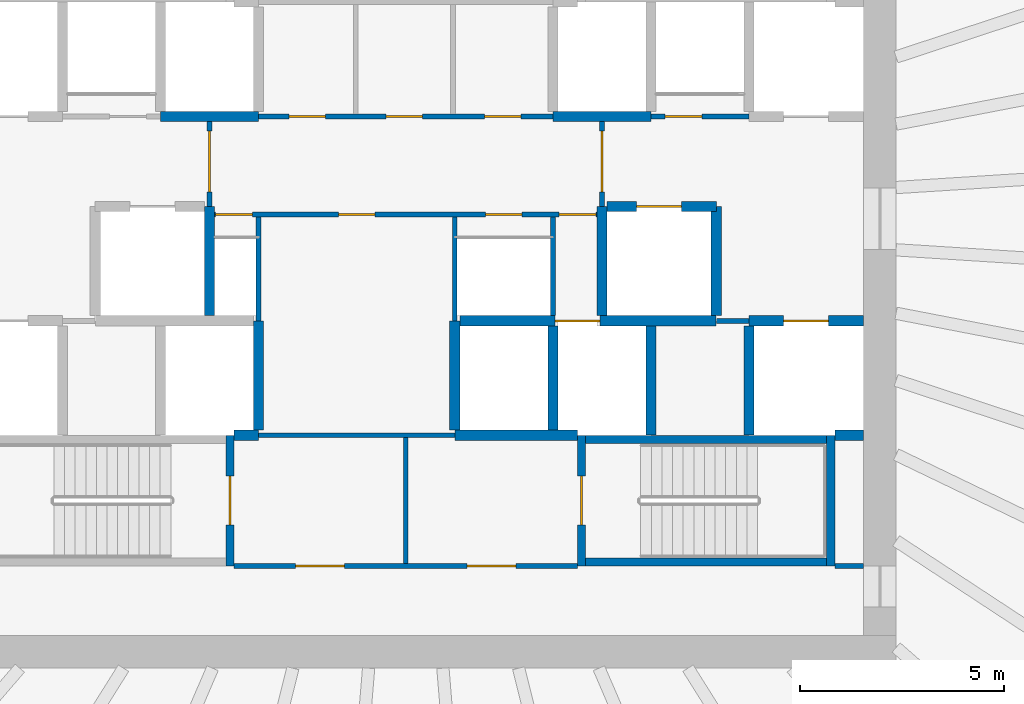
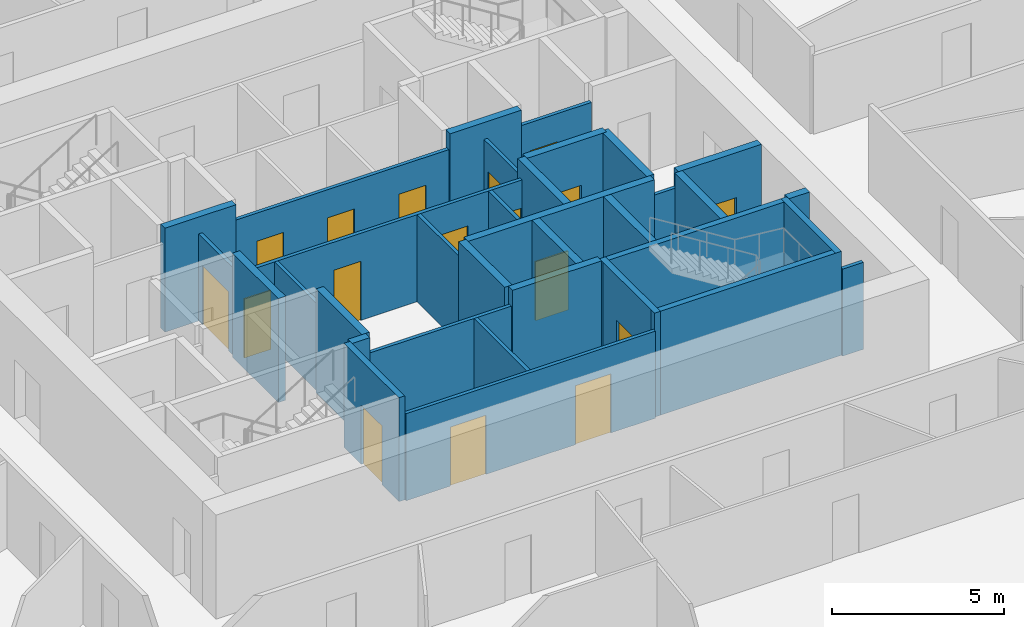
# One storey, part 7 of 10: 34 walls, 17 doors, 17 openings.
"""IFC4 building model written with IfcOpenShell, lengths in metres."""

from ifc_helpers import new_model, si_unit, direction, frame, frame_2d, origin, place, context, subcontext, project, spatial, rectangle, extrude, source, transform, mapped, material, layer, layer_set, type_object, element, fill, save


model = new_model("IFC4")

# Units and contexts
model_context = context("Model", 3, precision=1e-05, world=origin(), true_north=direction((0.0, 1.0)))
body_context = subcontext(model_context, "Body", "Model", "MODEL_VIEW")
ifc_project = project(units=[si_unit("LENGTHUNIT", "METRE"), si_unit("AREAUNIT", "SQUARE_METRE"), si_unit("VOLUMEUNIT", "CUBIC_METRE"), si_unit("PLANEANGLEUNIT", "RADIAN"), si_unit("MASSUNIT", "GRAM", prefix="KILO")], contexts=[model_context])

# Site, building, storey
site_placement = place(None, origin())
site = spatial("IfcSite", under=ifc_project, at=site_placement, CompositionType="ELEMENT")
building_placement = place(site_placement, origin())
building = spatial("IfcBuilding", under=site, at=building_placement, Name="Embergate Tower", CompositionType="ELEMENT")
storey_placement = place(building_placement, frame((0.0, 0.0, 183.300048828125)))
storey = spatial("IfcBuildingStorey", under=building, at=storey_placement, Name="L41", CompositionType="ELEMENT", Elevation=183.300048828125)

# Walls
ifc_material_1 = material(Name="Concrete C50", Category="concrete")
ifc_layer_1 = layer(ifc_material_1, 0.25)
ifc_layer_set_1 = layer_set([ifc_layer_1], Name="Concrete C50")
wall_type_1 = type_object("IfcWallType", Name="Hoistway wall reinforced concrete 250", PredefinedType="SHEAR", material=ifc_layer_set_1)
shared_shape_1 = source(origin(), body_context, "Body", "SweptSolid", [
    extrude(rectangle(XDim=2.675048828125, YDim=0.25, at=frame_2d((1.33740234375, 0.0))), origin(), (0.0, 0.0, 1.0), 3.699951171875),
])
for number, where, z_axis, x_axis, name in (
    (1, (-3.60009765625, -5.175048828125, 0.0), (0.0, 0.0, 1.0), (0.0, 1.0, 0.0), "HW-1 wall"),
    (2, (1.199951171875, -2.5, 0.0), (0.0, 0.0, 1.0), (0.0, -1.0, 0.0), "HW-1 wall"),
    (3, (-4.800048828125, 0.300048828125, 0.0), (0.0, 0.0, 1.0), (0.0, -1.0, 0.0), "HW-1 wall"),
    (4, (4.800048828125, -2.375, 0.0), (0.0, 0.0, 1.0), (0.0, 1.0, 0.0), "HW-1 wall"),
):
    element("IfcWall", number, at=place(storey_placement, frame(where, z_axis=z_axis, x_axis=x_axis)), inside=storey, type_object=wall_type_1, Name=name, PredefinedType="SHEAR", context=body_context, shape_type="MappedRepresentation", body=[
        mapped(shared_shape_1, transform((0.0, 0.0, 0.0))),
    ])

# Wall, opening, door
wall_1_placement = place(storey_placement, frame((7.60009765625, 0.300048828125, 0.0), z_axis=(0.0, 0.0, 1.0), x_axis=(-1.0, 0.0, 0.0)))
wall_1 = element("IfcWall", 5, at=wall_1_placement, inside=storey, type_object=wall_type_1, Name="HW-1 wall", PredefinedType="SHEAR", context=body_context, shape_type="MappedRepresentation", body=[
    mapped(shared_shape_1, transform((0.0, 0.0, 0.0))),
])
shared_shape_2 = source(origin(), body_context, "Body", "SweptSolid", [
    extrude(rectangle(XDim=1.10009765625, YDim=2.10009765625, at=frame_2d((0.550048828125, 1.050048828125))), frame((0.0, 0.135009765625, 0.0), z_axis=(0.0, -1.0, 0.0), x_axis=(1.0, 0.0, 0.0)), (0.0, 0.0, 1.0), 0.27001953125),
])
opening_1_placement = place(wall_1_placement, frame((0.85009765625, 0.0, 0.0)))
opening_1 = element("IfcOpeningElement", 6, at=opening_1_placement, cuts=wall_1, Name="Opening LD", PredefinedType="OPENING", context=body_context, shape_type="MappedRepresentation", body=[
    mapped(shared_shape_2, transform((0.0, 0.0, 0.0))),
])
ifc_material_2 = material(Name="Landing door sliding 1100")
door_type_1 = type_object("IfcDoorType", Name="Landing door sliding 1100", OperationType="SLIDING_TO_LEFT", PredefinedType="DOOR", material=ifc_material_2)
shared_shape_3 = source(origin(), body_context, "Body", "SweptSolid", [
    extrude(rectangle(XDim=1.10009765625, YDim=2.10009765625, at=frame_2d((0.550048828125, 1.050048828125))), frame((0.0, 0.02490234375, 0.0), z_axis=(0.0, -1.0, 0.0), x_axis=(1.0, 0.0, 0.0)), (0.0, 0.0, 1.0), 0.050048828125),
])
door_1_placement = place(opening_1_placement, origin())
door_1 = element("IfcDoor", 7, at=door_1_placement, inside=storey, type_object=door_type_1, Name="LD door", OperationType="SLIDING_TO_LEFT", OverallHeight=2.10009765625, OverallWidth=1.10009765625, PredefinedType="DOOR", context=body_context, shape_type="MappedRepresentation", body=[
    mapped(shared_shape_3, transform((0.0, 0.0, 0.0))),
])
fill(opening_1, door_1)

# Walls
wall_2_placement = place(storey_placement, frame((7.60009765625, -2.375, 0.0), z_axis=(0.0, 0.0, 1.0), x_axis=(0.0, 1.0, 0.0)))
element("IfcWall", 8, at=wall_2_placement, inside=storey, type_object=wall_type_1, Name="HW-1 wall", PredefinedType="SHEAR", context=body_context, shape_type="MappedRepresentation", body=[
    mapped(shared_shape_1, transform((0.0, 0.0, 0.0))),
])
ifc_layer_2 = layer(ifc_material_1, 0.199951171875)
ifc_layer_set_2 = layer_set([ifc_layer_2], Name="Concrete C50")
wall_type_2 = type_object("IfcWallType", Name="Stair enclosure wall reinforced concrete 250", PredefinedType="SHEAR", material=ifc_layer_set_2)
shared_shape_4 = source(origin(), body_context, "Body", "SweptSolid", [
    extrude(rectangle(XDim=6.300048828125, YDim=0.199951171875, at=frame_2d((3.14990234375, 0.0))), origin(), (0.0, 0.0, 1.0), 3.699951171875),
])
for number, where, z_axis, x_axis, name in (
    (9, (4.199951171875, -5.39990234375, 0.0), (0.0, 0.0, 1.0), (1.0, 0.0, 0.0), "SE-1 wall"),
    (10, (4.199951171875, -8.39990234375, 0.0), (0.0, 0.0, 1.0), (1.0, 0.0, 0.0), "SE-1 wall"),
):
    element("IfcWall", number, at=place(storey_placement, frame(where, z_axis=z_axis, x_axis=x_axis)), inside=storey, type_object=wall_type_2, Name=name, PredefinedType="SHEAR", context=body_context, shape_type="MappedRepresentation", body=[
        mapped(shared_shape_4, transform((0.0, 0.0, 0.0))),
    ])
shared_shape_5 = source(origin(), body_context, "Body", "SweptSolid", [
    extrude(rectangle(XDim=2.550048828125, YDim=0.25, at=frame_2d((1.27490234375, 0.0))), origin(), (0.0, 0.0, 1.0), 3.699951171875),
])
wall_3_placement = place(storey_placement, frame((3.60009765625, -5.175048828125, 0.0), z_axis=(0.0, 0.0, 1.0), x_axis=(0.0, 1.0, 0.0)))
element("IfcWall", 11, at=wall_3_placement, inside=storey, type_object=wall_type_1, Name="HW-1 wall", PredefinedType="SHEAR", context=body_context, shape_type="MappedRepresentation", body=[
    mapped(shared_shape_5, transform((0.0, 0.0, 0.0))),
])

# Wall, opening, door
shared_shape_6 = source(origin(), body_context, "Body", "SweptSolid", [
    extrude(rectangle(XDim=3.199951171875, YDim=0.199951171875, at=frame_2d((1.60009765625, 0.0))), origin(), (0.0, 0.0, 1.0), 3.699951171875),
])
wall_4_placement = place(storey_placement, frame((-4.300048828125, -8.5, 0.0), z_axis=(0.0, 0.0, 1.0), x_axis=(0.0, 1.0, 0.0)))
wall_4 = element("IfcWall", 12, at=wall_4_placement, inside=storey, type_object=wall_type_2, Name="SE-1 wall", PredefinedType="SHEAR", context=body_context, shape_type="MappedRepresentation", body=[
    mapped(shared_shape_6, transform((0.0, 0.0, 0.0))),
])
shared_shape_7 = source(origin(), body_context, "Body", "SweptSolid", [
    extrude(rectangle(XDim=1.199951171875, YDim=2.10009765625, at=frame_2d((0.60009765625, 1.050048828125))), frame((0.0, 0.10986328125, 0.0), z_axis=(0.0, -1.0, 0.0), x_axis=(1.0, 0.0, 0.0)), (0.0, 0.0, 1.0), 0.219970703125),
])
opening_2_placement = place(wall_4_placement, frame((1.0, 0.0, 0.0)))
opening_2 = element("IfcOpeningElement", 13, at=opening_2_placement, cuts=wall_4, Name="Opening IF-2", PredefinedType="OPENING", context=body_context, shape_type="MappedRepresentation", body=[
    mapped(shared_shape_7, transform((0.0, 0.0, 0.0))),
])
ifc_material_3 = material(Name="Stair enclosure door 1200")
door_type_2 = type_object("IfcDoorType", Name="Stair enclosure door 1200", OperationType="SINGLE_SWING_LEFT", PredefinedType="DOOR", material=ifc_material_3)
shared_shape_8 = source(origin(), body_context, "Body", "SweptSolid", [
    extrude(rectangle(XDim=1.199951171875, YDim=2.10009765625, at=frame_2d((0.60009765625, 1.050048828125))), frame((0.0, 0.02490234375, 0.0), z_axis=(0.0, -1.0, 0.0), x_axis=(1.0, 0.0, 0.0)), (0.0, 0.0, 1.0), 0.050048828125),
])
door_2_placement = place(opening_2_placement, origin())
door_2 = element("IfcDoor", 14, at=door_2_placement, inside=storey, type_object=door_type_2, Name="IF-2 door", OperationType="SINGLE_SWING_RIGHT", OverallHeight=2.10009765625, OverallWidth=1.199951171875, PredefinedType="DOOR", context=body_context, shape_type="MappedRepresentation", body=[
    mapped(shared_shape_8, transform((0.0, 0.0, 0.0))),
])
fill(opening_2, door_2)

wall_5_placement = place(storey_placement, frame((4.300048828125, -5.300048828125, 0.0), z_axis=(0.0, 0.0, 1.0), x_axis=(0.0, -1.0, 0.0)))
wall_5 = element("IfcWall", 15, at=wall_5_placement, inside=storey, type_object=wall_type_2, Name="SE-1 wall", PredefinedType="SHEAR", context=body_context, shape_type="MappedRepresentation", body=[
    mapped(shared_shape_6, transform((0.0, 0.0, 0.0))),
])
opening_3_placement = place(wall_5_placement, frame((1.0, 0.0, 0.0)))
opening_3 = element("IfcOpeningElement", 16, at=opening_3_placement, cuts=wall_5, Name="Opening IF-2", PredefinedType="OPENING", context=body_context, shape_type="MappedRepresentation", body=[
    mapped(shared_shape_7, transform((0.0, 0.0, 0.0))),
])
door_3_placement = place(opening_3_placement, origin())
door_3 = element("IfcDoor", 17, at=door_3_placement, inside=storey, type_object=door_type_2, Name="IF-2 door", OperationType="SINGLE_SWING_RIGHT", OverallHeight=2.10009765625, OverallWidth=1.199951171875, PredefinedType="DOOR", context=body_context, shape_type="MappedRepresentation", body=[
    mapped(shared_shape_8, transform((0.0, 0.0, 0.0))),
])
fill(opening_3, door_3)

# Walls
shared_shape_9 = source(origin(), body_context, "Body", "SweptSolid", [
    extrude(rectangle(XDim=2.39990234375, YDim=0.25, at=frame_2d((1.199951171875, 0.0))), origin(), (0.0, 0.0, 1.0), 3.699951171875),
])
for number, where, z_axis, x_axis, name in (
    (18, (-6.0, 2.5, 0.0), (0.0, 0.0, 1.0), (1.0, 0.0, 0.0), "HW-1 wall"),
    (19, (3.60009765625, 2.5, 0.0), (0.0, 0.0, 1.0), (1.0, 0.0, 0.0), "HW-1 wall"),
):
    element("IfcWall", number, at=place(storey_placement, frame(where, z_axis=z_axis, x_axis=x_axis)), inside=storey, type_object=wall_type_1, Name=name, PredefinedType="SHEAR", context=body_context, shape_type="MappedRepresentation", body=[
        mapped(shared_shape_9, transform((0.0, 0.0, 0.0))),
    ])

# Wall, opening, door
ifc_material_4 = material(Name="Core partition blockwork 120")
ifc_layer_3 = layer(ifc_material_4, 0.1201171875)
ifc_layer_set_3 = layer_set([ifc_layer_3], Name="Core partition blockwork 120")
wall_type_3 = type_object("IfcWallType", Name="Core partition blockwork 120", PredefinedType="PARTITIONING", material=ifc_layer_set_3)
shared_shape_10 = source(origin(), body_context, "Body", "SweptSolid", [
    extrude(rectangle(XDim=2.074951171875, YDim=0.1201171875, at=frame_2d((1.03759765625, 0.0))), origin(), (0.0, 0.0, 1.0), 3.099853515625),
])
wall_6_placement = place(storey_placement, frame((-4.800048828125, 2.375, 0.0), z_axis=(0.0, 0.0, 1.0), x_axis=(0.0, -1.0, 0.0)))
wall_6 = element("IfcWall", 20, at=wall_6_placement, inside=storey, type_object=wall_type_3, Name="IP-3 wall", PredefinedType="PARTITIONING", context=body_context, shape_type="MappedRepresentation", body=[
    mapped(shared_shape_10, transform((0.0, 0.0, 0.0))),
])
shared_shape_11 = source(origin(), body_context, "Body", "SweptSolid", [
    extrude(rectangle(XDim=1.5, YDim=2.10009765625, at=frame_2d((0.75, 1.050048828125))), frame((0.0, 0.070068359375, 0.0), z_axis=(0.0, -1.0, 0.0), x_axis=(1.0, 0.0, 0.0)), (0.0, 0.0, 1.0), 0.14013671875),
])
opening_4_placement = place(wall_6_placement, frame((0.22509765625, 0.0, 0.0)))
opening_4 = element("IfcOpeningElement", 21, at=opening_4_placement, cuts=wall_6, Name="Opening IF-3", PredefinedType="OPENING", context=body_context, shape_type="MappedRepresentation", body=[
    mapped(shared_shape_11, transform((0.0, 0.0, 0.0))),
])
ifc_material_5 = material(Name="Lobby fire door pair 1500")
door_type_3 = type_object("IfcDoorType", Name="Lobby fire door pair 1500", OperationType="DOUBLE_DOOR_SINGLE_SWING", PredefinedType="DOOR", material=ifc_material_5)
shared_shape_12 = source(origin(), body_context, "Body", "SweptSolid", [
    extrude(rectangle(XDim=1.5, YDim=2.10009765625, at=frame_2d((0.75, 1.050048828125))), frame((0.0, 0.02490234375, 0.0), z_axis=(0.0, -1.0, 0.0), x_axis=(1.0, 0.0, 0.0)), (0.0, 0.0, 1.0), 0.050048828125),
])
door_4_placement = place(opening_4_placement, origin())
door_4 = element("IfcDoor", 22, at=door_4_placement, inside=storey, type_object=door_type_3, Name="IF-3 door", OperationType="DOUBLE_DOOR_SINGLE_SWING", OverallHeight=2.10009765625, OverallWidth=1.5, PredefinedType="DOOR", context=body_context, shape_type="MappedRepresentation", body=[
    mapped(shared_shape_12, transform((0.0, 0.0, 0.0))),
])
fill(opening_4, door_4)

wall_7_placement = place(storey_placement, frame((4.800048828125, 0.300048828125, 0.0), z_axis=(0.0, 0.0, 1.0), x_axis=(0.0, 1.0, 0.0)))
wall_7 = element("IfcWall", 23, at=wall_7_placement, inside=storey, type_object=wall_type_3, Name="IP-3 wall", PredefinedType="PARTITIONING", context=body_context, shape_type="MappedRepresentation", body=[
    mapped(shared_shape_10, transform((0.0, 0.0, 0.0))),
])
opening_5_placement = place(wall_7_placement, frame((0.35009765625, 0.0, 0.0)))
opening_5 = element("IfcOpeningElement", 24, at=opening_5_placement, cuts=wall_7, Name="Opening IF-3", PredefinedType="OPENING", context=body_context, shape_type="MappedRepresentation", body=[
    mapped(shared_shape_11, transform((0.0, 0.0, 0.0))),
])
door_5_placement = place(opening_5_placement, origin())
door_5 = element("IfcDoor", 25, at=door_5_placement, inside=storey, type_object=door_type_3, Name="IF-3 door", OperationType="DOUBLE_DOOR_SINGLE_SWING", OverallHeight=2.10009765625, OverallWidth=1.5, PredefinedType="DOOR", context=body_context, shape_type="MappedRepresentation", body=[
    mapped(shared_shape_12, transform((0.0, 0.0, 0.0))),
])
fill(opening_5, door_5)

# Wall, openings, doors
shared_shape_13 = source(origin(), body_context, "Body", "SweptSolid", [
    extrude(rectangle(XDim=8.39990234375, YDim=0.1201171875, at=frame_2d((4.199951171875, 0.0))), origin(), (0.0, 0.0, 1.0), 3.099853515625),
])
wall_8_placement = place(storey_placement, frame((-4.199951171875, -8.5, 0.0), z_axis=(0.0, 0.0, 1.0), x_axis=(1.0, 0.0, 0.0)))
wall_8 = element("IfcWall", 26, at=wall_8_placement, inside=storey, type_object=wall_type_3, Name="IP-3 wall", PredefinedType="PARTITIONING", context=body_context, shape_type="MappedRepresentation", body=[
    mapped(shared_shape_13, transform((0.0, 0.0, 0.0))),
])
shared_shape_14 = source(origin(), body_context, "Body", "SweptSolid", [
    extrude(rectangle(XDim=1.199951171875, YDim=2.10009765625, at=frame_2d((0.60009765625, 1.050048828125))), frame((0.0, 0.070068359375, 0.0), z_axis=(0.0, -1.0, 0.0), x_axis=(1.0, 0.0, 0.0)), (0.0, 0.0, 1.0), 0.14013671875),
])
opening_6_placement = place(wall_8_placement, frame((1.5, 0.0, 0.0)))
opening_6 = element("IfcOpeningElement", 27, at=opening_6_placement, cuts=wall_8, Name="Opening IF-3f", PredefinedType="OPENING", context=body_context, shape_type="MappedRepresentation", body=[
    mapped(shared_shape_14, transform((0.0, 0.0, 0.0))),
])
opening_7_placement = place(wall_8_placement, frame((5.699951171875, 0.0, 0.0)))
opening_7 = element("IfcOpeningElement", 28, at=opening_7_placement, cuts=wall_8, Name="Opening IF-3f", PredefinedType="OPENING", context=body_context, shape_type="MappedRepresentation", body=[
    mapped(shared_shape_14, transform((0.0, 0.0, 0.0))),
])
ifc_material_6 = material(Name="Lobby fire door pair 1200")
door_type_4 = type_object("IfcDoorType", Name="Lobby fire door pair 1200", OperationType="DOUBLE_DOOR_SINGLE_SWING", PredefinedType="DOOR", material=ifc_material_6)
door_6_placement = place(opening_6_placement, origin())
door_6 = element("IfcDoor", 29, at=door_6_placement, inside=storey, type_object=door_type_4, Name="IF-3 door", OperationType="DOUBLE_DOOR_SINGLE_SWING", OverallHeight=2.10009765625, OverallWidth=1.199951171875, PredefinedType="DOOR", context=body_context, shape_type="MappedRepresentation", body=[
    mapped(shared_shape_8, transform((0.0, 0.0, 0.0))),
])
fill(opening_6, door_6)
door_7_placement = place(opening_7_placement, origin())
door_7 = element("IfcDoor", 30, at=door_7_placement, inside=storey, type_object=door_type_4, Name="IF-3 door", OperationType="DOUBLE_DOOR_SINGLE_SWING", OverallHeight=2.10009765625, OverallWidth=1.199951171875, PredefinedType="DOOR", context=body_context, shape_type="MappedRepresentation", body=[
    mapped(shared_shape_8, transform((0.0, 0.0, 0.0))),
])
fill(opening_7, door_7)

# Wall, opening, door
shared_shape_15 = source(origin(), body_context, "Body", "SweptSolid", [
    extrude(rectangle(XDim=2.800048828125, YDim=0.25, at=frame_2d((1.39990234375, 0.0))), origin(), (0.0, 0.0, 1.0), 3.699951171875),
])
wall_9_placement = place(storey_placement, frame((11.199951171875, -2.5, 0.0), z_axis=(0.0, 0.0, 1.0), x_axis=(-1.0, 0.0, 0.0)))
wall_9 = element("IfcWall", 31, at=wall_9_placement, inside=storey, type_object=wall_type_1, Name="HW-1 wall", PredefinedType="SHEAR", context=body_context, shape_type="MappedRepresentation", body=[
    mapped(shared_shape_15, transform((0.0, 0.0, 0.0))),
])
opening_8_placement = place(wall_9_placement, frame((0.85009765625, 0.0, 0.0)))
opening_8 = element("IfcOpeningElement", 32, at=opening_8_placement, cuts=wall_9, Name="Opening LD", PredefinedType="OPENING", context=body_context, shape_type="MappedRepresentation", body=[
    mapped(shared_shape_2, transform((0.0, 0.0, 0.0))),
])
door_8_placement = place(opening_8_placement, origin())
door_8 = element("IfcDoor", 33, at=door_8_placement, inside=storey, type_object=door_type_1, Name="LD door", OperationType="SLIDING_TO_RIGHT", OverallHeight=2.10009765625, OverallWidth=1.10009765625, PredefinedType="DOOR", context=body_context, shape_type="MappedRepresentation", body=[
    mapped(shared_shape_3, transform((0.0, 0.0, 0.0))),
])
fill(opening_8, door_8)

# Wall
shared_shape_16 = source(origin(), body_context, "Body", "SweptSolid", [
    extrude(rectangle(XDim=0.599853515625, YDim=0.25, at=frame_2d((0.2998046875, 0.0))), origin(), (0.0, 0.0, 1.0), 3.699951171875),
])
wall_10_placement = place(storey_placement, frame((-4.199951171875, -5.300048828125, 0.0), z_axis=(0.0, 0.0, 1.0), x_axis=(1.0, 0.0, 0.0)))
element("IfcWall", 34, at=wall_10_placement, inside=storey, type_object=wall_type_1, Name="HW-1 wall", PredefinedType="SHEAR", context=body_context, shape_type="MappedRepresentation", body=[
    mapped(shared_shape_16, transform((0.0, 0.0, 0.0))),
])

# Wall, opening, door
shared_shape_17 = source(origin(), body_context, "Body", "SweptSolid", [
    extrude(rectangle(XDim=6.27294921875, YDim=0.25, at=frame_2d((3.136474609375, 0.0))), origin(), (0.0, 0.0, 1.0), 3.699951171875),
])
wall_11_placement = place(storey_placement, frame((7.597900390625, -2.5, 0.0), z_axis=(0.0, 0.0, 1.0), x_axis=(-1.0, 0.0, 0.0)))
wall_11 = element("IfcWall", 35, at=wall_11_placement, inside=storey, type_object=wall_type_1, Name="HW-1 wall", PredefinedType="SHEAR", context=body_context, shape_type="MappedRepresentation", body=[
    mapped(shared_shape_17, transform((0.0, 0.0, 0.0))),
])
opening_9_placement = place(wall_11_placement, frame((2.847900390625, 0.0, 0.0)))
opening_9 = element("IfcOpeningElement", 36, at=opening_9_placement, cuts=wall_11, Name="Opening LD", PredefinedType="OPENING", context=body_context, shape_type="MappedRepresentation", body=[
    mapped(shared_shape_2, transform((0.0, 0.0, 0.0))),
])
door_9_placement = place(opening_9_placement, origin())
door_9 = element("IfcDoor", 37, at=door_9_placement, inside=storey, type_object=door_type_1, Name="LD door", OperationType="SLIDING_TO_LEFT", OverallHeight=2.10009765625, OverallWidth=1.10009765625, PredefinedType="DOOR", context=body_context, shape_type="MappedRepresentation", body=[
    mapped(shared_shape_3, transform((0.0, 0.0, 0.0))),
])
fill(opening_9, door_9)

# Walls
shared_shape_18 = source(origin(), body_context, "Body", "SweptSolid", [
    extrude(rectangle(XDim=3.0, YDim=0.25, at=frame_2d((1.5, 0.0))), origin(), (0.0, 0.0, 1.0), 3.699951171875),
])
wall_12_placement = place(storey_placement, frame((1.199951171875, -5.300048828125, 0.0), z_axis=(0.0, 0.0, 1.0), x_axis=(1.0, 0.0, 0.0)))
element("IfcWall", 38, at=wall_12_placement, inside=storey, type_object=wall_type_1, Name="HW-1 wall", PredefinedType="SHEAR", context=body_context, shape_type="MappedRepresentation", body=[
    mapped(shared_shape_18, transform((0.0, 0.0, 0.0))),
])
shared_shape_19 = source(origin(), body_context, "Body", "SweptSolid", [
    extrude(rectangle(XDim=3.196044921875, YDim=0.199951171875, at=frame_2d((1.59814453125, 0.0))), origin(), (0.0, 0.0, 1.0), 3.699951171875),
])
wall_13_placement = place(storey_placement, frame((10.39990234375, -8.498046875, 0.0), z_axis=(0.0, 0.0, 1.0), x_axis=(0.0, 1.0, 0.0)))
element("IfcWall", 39, at=wall_13_placement, inside=storey, type_object=wall_type_2, Name="SE-1 wall", PredefinedType="SHEAR", context=body_context, shape_type="MappedRepresentation", body=[
    mapped(shared_shape_19, transform((0.0, 0.0, 0.0))),
])
shared_shape_20 = source(origin(), body_context, "Body", "SweptSolid", [
    extrude(rectangle(XDim=0.697998046875, YDim=0.25, at=frame_2d((0.34912109375, 0.0))), origin(), (0.0, 0.0, 1.0), 3.699951171875),
])
wall_14_placement = place(storey_placement, frame((10.501953125, -5.300048828125, 0.0), z_axis=(0.0, 0.0, 1.0), x_axis=(1.0, 0.0, 0.0)))
element("IfcWall", 40, at=wall_14_placement, inside=storey, type_object=wall_type_1, Name="HW-1 wall", PredefinedType="SHEAR", context=body_context, shape_type="MappedRepresentation", body=[
    mapped(shared_shape_20, transform((0.0, 0.0, 0.0))),
])
shared_shape_21 = source(origin(), body_context, "Body", "SweptSolid", [
    extrude(rectangle(XDim=2.671142578125, YDim=0.25, at=frame_2d((1.33544921875, 0.0))), origin(), (0.0, 0.0, 1.0), 3.699951171875),
])
for number, where, z_axis, x_axis, name in (
    (41, (6.0, -5.298095703125, 0.0), (0.0, 0.0, 1.0), (0.0, 1.0, 0.0), "HW-1 wall"),
    (42, (8.39990234375, -2.626953125, 0.0), (0.0, 0.0, 1.0), (0.0, -1.0, 0.0), "HW-1 wall"),
):
    element("IfcWall", number, at=place(storey_placement, frame(where, z_axis=z_axis, x_axis=x_axis)), inside=storey, type_object=wall_type_1, Name=name, PredefinedType="SHEAR", context=body_context, shape_type="MappedRepresentation", body=[
        mapped(shared_shape_21, transform((0.0, 0.0, 0.0))),
    ])

# Wall, opening, door
shared_shape_22 = source(origin(), body_context, "Body", "SweptSolid", [
    extrude(rectangle(XDim=2.39990234375, YDim=0.1201171875, at=frame_2d((1.199951171875, 0.0))), origin(), (0.0, 0.0, 1.0), 3.099853515625),
])
wall_15_placement = place(storey_placement, frame((6.0, 2.5, 0.0), z_axis=(0.0, 0.0, 1.0), x_axis=(1.0, 0.0, 0.0)))
wall_15 = element("IfcWall", 43, at=wall_15_placement, inside=storey, type_object=wall_type_3, Name="IP-3 wall", PredefinedType="PARTITIONING", context=body_context, shape_type="MappedRepresentation", body=[
    mapped(shared_shape_22, transform((0.0, 0.0, 0.0))),
])
shared_shape_23 = source(origin(), body_context, "Body", "SweptSolid", [
    extrude(rectangle(XDim=0.89990234375, YDim=2.10009765625, at=frame_2d((0.449951171875, 1.050048828125))), frame((0.0, 0.070068359375, 0.0), z_axis=(0.0, -1.0, 0.0), x_axis=(1.0, 0.0, 0.0)), (0.0, 0.0, 1.0), 0.14013671875),
])
opening_10_placement = place(wall_15_placement, frame((0.35009765625, 0.0, 0.0)))
opening_10 = element("IfcOpeningElement", 44, at=opening_10_placement, cuts=wall_15, Name="Opening ID-1", PredefinedType="OPENING", context=body_context, shape_type="MappedRepresentation", body=[
    mapped(shared_shape_23, transform((0.0, 0.0, 0.0))),
])
ifc_material_7 = material(Name="Interior door 900")
door_type_5 = type_object("IfcDoorType", Name="Interior door 900", OperationType="SINGLE_SWING_LEFT", PredefinedType="DOOR", material=ifc_material_7)
shared_shape_24 = source(origin(), body_context, "Body", "SweptSolid", [
    extrude(rectangle(XDim=0.89990234375, YDim=2.10009765625, at=frame_2d((0.449951171875, 1.050048828125))), frame((0.0, 0.02490234375, 0.0), z_axis=(0.0, -1.0, 0.0), x_axis=(1.0, 0.0, 0.0)), (0.0, 0.0, 1.0), 0.050048828125),
])
door_10_placement = place(opening_10_placement, origin())
door_10 = element("IfcDoor", 45, at=door_10_placement, inside=storey, type_object=door_type_5, Name="ID-1 door", OperationType="SINGLE_SWING_RIGHT", OverallHeight=2.10009765625, OverallWidth=0.89990234375, PredefinedType="DOOR", context=body_context, shape_type="MappedRepresentation", body=[
    mapped(shared_shape_24, transform((0.0, 0.0, 0.0))),
])
fill(opening_10, door_10)

# Wall, openings, doors
shared_shape_25 = source(origin(), body_context, "Body", "SweptSolid", [
    extrude(rectangle(XDim=9.35009765625, YDim=0.1201171875, at=frame_2d((4.675048828125, 0.0))), origin(), (0.0, 0.0, 1.0), 3.099853515625),
])
wall_16_placement = place(storey_placement, frame((-4.675048828125, 0.10009765625, 0.0), z_axis=(0.0, 0.0, 1.0), x_axis=(1.0, 0.0, 0.0)))
wall_16 = element("IfcWall", 46, at=wall_16_placement, inside=storey, type_object=wall_type_3, Name="IP-3 wall", PredefinedType="PARTITIONING", context=body_context, shape_type="MappedRepresentation", body=[
    mapped(shared_shape_25, transform((0.0, 0.0, 0.0))),
])
opening_11_placement = place(wall_16_placement, frame((8.425048828125, 0.0, 0.0)))
opening_11 = element("IfcOpeningElement", 47, at=opening_11_placement, cuts=wall_16, Name="Opening IF-3c", PredefinedType="OPENING", context=body_context, shape_type="MappedRepresentation", body=[
    mapped(shared_shape_23, transform((0.0, 0.0, 0.0))),
])
opening_12_placement = place(wall_16_placement, frame((0.02490234375, 0.0, 0.0)))
opening_12 = element("IfcOpeningElement", 48, at=opening_12_placement, cuts=wall_16, Name="Opening ID-1", PredefinedType="OPENING", context=body_context, shape_type="MappedRepresentation", body=[
    mapped(shared_shape_23, transform((0.0, 0.0, 0.0))),
])
opening_13_placement = place(wall_16_placement, frame((6.625, 0.0, 0.0)))
opening_13 = element("IfcOpeningElement", 49, at=opening_13_placement, cuts=wall_16, Name="Opening ID-1", PredefinedType="OPENING", context=body_context, shape_type="MappedRepresentation", body=[
    mapped(shared_shape_23, transform((0.0, 0.0, 0.0))),
])
opening_14_placement = place(wall_16_placement, frame((3.02490234375, 0.0, 0.0)))
opening_14 = element("IfcOpeningElement", 50, at=opening_14_placement, cuts=wall_16, Name="Opening ID-1", PredefinedType="OPENING", context=body_context, shape_type="MappedRepresentation", body=[
    mapped(shared_shape_23, transform((0.0, 0.0, 0.0))),
])
ifc_material_8 = material(Name="Lobby fire door pair 900")
door_type_6 = type_object("IfcDoorType", Name="Lobby fire door pair 900", OperationType="DOUBLE_DOOR_SINGLE_SWING", PredefinedType="DOOR", material=ifc_material_8)
door_11_placement = place(opening_11_placement, origin())
door_11 = element("IfcDoor", 51, at=door_11_placement, inside=storey, type_object=door_type_6, Name="IF-3 door", OperationType="DOUBLE_DOOR_SINGLE_SWING", OverallHeight=2.10009765625, OverallWidth=0.89990234375, PredefinedType="DOOR", context=body_context, shape_type="MappedRepresentation", body=[
    mapped(shared_shape_24, transform((0.0, 0.0, 0.0))),
])
fill(opening_11, door_11)
door_12_placement = place(opening_12_placement, origin())
door_12 = element("IfcDoor", 52, at=door_12_placement, inside=storey, type_object=door_type_5, Name="ID-1 door", OperationType="SINGLE_SWING_LEFT", OverallHeight=2.10009765625, OverallWidth=0.89990234375, PredefinedType="DOOR", context=body_context, shape_type="MappedRepresentation", body=[
    mapped(shared_shape_24, transform((0.0, 0.0, 0.0))),
])
fill(opening_12, door_12)
door_13_placement = place(opening_13_placement, origin())
door_13 = element("IfcDoor", 53, at=door_13_placement, inside=storey, type_object=door_type_5, Name="ID-1 door", OperationType="SINGLE_SWING_LEFT", OverallHeight=2.10009765625, OverallWidth=0.89990234375, PredefinedType="DOOR", context=body_context, shape_type="MappedRepresentation", body=[
    mapped(shared_shape_24, transform((0.0, 0.0, 0.0))),
])
fill(opening_13, door_13)
door_14_placement = place(opening_14_placement, origin())
door_14 = element("IfcDoor", 54, at=door_14_placement, inside=storey, type_object=door_type_5, Name="ID-1 door", OperationType="SINGLE_SWING_RIGHT", OverallHeight=2.10009765625, OverallWidth=0.89990234375, PredefinedType="DOOR", context=body_context, shape_type="MappedRepresentation", body=[
    mapped(shared_shape_24, transform((0.0, 0.0, 0.0))),
])
fill(opening_14, door_14)

shared_shape_26 = source(origin(), body_context, "Body", "SweptSolid", [
    extrude(rectangle(XDim=7.2001953125, YDim=0.1201171875, at=frame_2d((3.60009765625, 0.0))), origin(), (0.0, 0.0, 1.0), 3.099853515625),
])
wall_17_placement = place(storey_placement, frame((3.60009765625, 2.5, 0.0), z_axis=(0.0, 0.0, 1.0), x_axis=(-1.0, 0.0, 0.0)))
wall_17 = element("IfcWall", 55, at=wall_17_placement, inside=storey, type_object=wall_type_3, Name="IP-3 wall", PredefinedType="PARTITIONING", context=body_context, shape_type="MappedRepresentation", body=[
    mapped(shared_shape_26, transform((0.0, 0.0, 0.0))),
])
opening_15_placement = place(wall_17_placement, frame((5.56201171875, 0.0, 0.0)))
opening_15 = element("IfcOpeningElement", 56, at=opening_15_placement, cuts=wall_17, Name="Opening ID-1", PredefinedType="OPENING", context=body_context, shape_type="MappedRepresentation", body=[
    mapped(shared_shape_23, transform((0.0, 0.0, 0.0))),
])
opening_16_placement = place(wall_17_placement, frame((3.18603515625, 0.0, 0.0)))
opening_16 = element("IfcOpeningElement", 57, at=opening_16_placement, cuts=wall_17, Name="Opening ID-1", PredefinedType="OPENING", context=body_context, shape_type="MappedRepresentation", body=[
    mapped(shared_shape_23, transform((0.0, 0.0, 0.0))),
])
opening_17_placement = place(wall_17_placement, frame((0.77392578125, 0.0, 0.0)))
opening_17 = element("IfcOpeningElement", 58, at=opening_17_placement, cuts=wall_17, Name="Opening ID-1", PredefinedType="OPENING", context=body_context, shape_type="MappedRepresentation", body=[
    mapped(shared_shape_23, transform((0.0, 0.0, 0.0))),
])
door_15_placement = place(opening_15_placement, origin())
door_15 = element("IfcDoor", 59, at=door_15_placement, inside=storey, type_object=door_type_5, Name="ID-1 door", OperationType="SINGLE_SWING_LEFT", OverallHeight=2.10009765625, OverallWidth=0.89990234375, PredefinedType="DOOR", context=body_context, shape_type="MappedRepresentation", body=[
    mapped(shared_shape_24, transform((0.0, 0.0, 0.0))),
])
fill(opening_15, door_15)
door_16_placement = place(opening_16_placement, origin())
door_16 = element("IfcDoor", 60, at=door_16_placement, inside=storey, type_object=door_type_5, Name="ID-1 door", OperationType="SINGLE_SWING_LEFT", OverallHeight=2.10009765625, OverallWidth=0.89990234375, PredefinedType="DOOR", context=body_context, shape_type="MappedRepresentation", body=[
    mapped(shared_shape_24, transform((0.0, 0.0, 0.0))),
])
fill(opening_16, door_16)
door_17_placement = place(opening_17_placement, origin())
door_17 = element("IfcDoor", 61, at=door_17_placement, inside=storey, type_object=door_type_5, Name="ID-1 door", OperationType="SINGLE_SWING_RIGHT", OverallHeight=2.10009765625, OverallWidth=0.89990234375, PredefinedType="DOOR", context=body_context, shape_type="MappedRepresentation", body=[
    mapped(shared_shape_24, transform((0.0, 0.0, 0.0))),
])
fill(opening_17, door_17)

# Walls
shared_shape_27 = source(origin(), body_context, "Body", "SweptSolid", [
    extrude(rectangle(XDim=2.5400390625, YDim=0.1201171875, at=frame_2d((1.27001953125, 0.0))), origin(), (0.0, 0.0, 1.0), 3.099853515625),
])
for number, where, z_axis, x_axis, name in (
    (62, (-3.60009765625, -2.5, 0.0), (0.0, 0.0, 1.0), (0.0, 1.0, 0.0), "IP-3 wall"),
    (63, (1.199951171875, 0.0400390625, 0.0), (0.0, 0.0, 1.0), (0.0, -1.0, 0.0), "IP-3 wall"),
):
    element("IfcWall", number, at=place(storey_placement, frame(where, z_axis=z_axis, x_axis=x_axis)), inside=storey, type_object=wall_type_3, Name=name, PredefinedType="PARTITIONING", context=body_context, shape_type="MappedRepresentation", body=[
        mapped(shared_shape_27, transform((0.0, 0.0, 0.0))),
    ])
shared_shape_28 = source(origin(), body_context, "Body", "SweptSolid", [
    extrude(rectangle(XDim=2.4150390625, YDim=0.1201171875, at=frame_2d((1.20751953125, 0.0))), origin(), (0.0, 0.0, 1.0), 3.099853515625),
])
wall_18_placement = place(storey_placement, frame((3.60009765625, -2.375, 0.0), z_axis=(0.0, 0.0, 1.0), x_axis=(0.0, 1.0, 0.0)))
element("IfcWall", 64, at=wall_18_placement, inside=storey, type_object=wall_type_3, Name="IP-3 wall", PredefinedType="PARTITIONING", context=body_context, shape_type="MappedRepresentation", body=[
    mapped(shared_shape_28, transform((0.0, 0.0, 0.0))),
])
shared_shape_29 = source(origin(), body_context, "Body", "SweptSolid", [
    extrude(rectangle(XDim=3.079833984375, YDim=0.1201171875, at=frame_2d((1.5400390625, 0.0))), origin(), (0.0, 0.0, 1.0), 3.099853515625),
])
wall_19_placement = place(storey_placement, frame((0.0, -8.43994140625, 0.0), z_axis=(0.0, 0.0, 1.0), x_axis=(0.0, 1.0, 0.0)))
element("IfcWall", 65, at=wall_19_placement, inside=storey, type_object=wall_type_3, Name="IP-3 wall", PredefinedType="PARTITIONING", context=body_context, shape_type="MappedRepresentation", body=[
    mapped(shared_shape_29, transform((0.0, 0.0, 0.0))),
])
shared_shape_30 = source(origin(), body_context, "Body", "SweptSolid", [
    extrude(rectangle(XDim=4.800048828125, YDim=0.1201171875, at=frame_2d((2.39990234375, 0.0))), origin(), (0.0, 0.0, 1.0), 3.099853515625),
])
wall_20_placement = place(storey_placement, frame((1.199951171875, -5.300048828125, 0.0), z_axis=(0.0, 0.0, 1.0), x_axis=(-1.0, 0.0, 0.0)))
element("IfcWall", 66, at=wall_20_placement, inside=storey, type_object=wall_type_3, Name="IP-3 wall", PredefinedType="PARTITIONING", context=body_context, shape_type="MappedRepresentation", body=[
    mapped(shared_shape_30, transform((0.0, 0.0, 0.0))),
])
shared_shape_31 = source(origin(), body_context, "Body", "SweptSolid", [
    extrude(rectangle(XDim=0.7958984375, YDim=0.1201171875, at=frame_2d((0.39794921875, 0.0))), origin(), (0.0, 0.0, 1.0), 3.099853515625),
])
wall_21_placement = place(storey_placement, frame((7.60205078125, -2.5, 0.0), z_axis=(0.0, 0.0, 1.0), x_axis=(1.0, 0.0, 0.0)))
element("IfcWall", 67, at=wall_21_placement, inside=storey, type_object=wall_type_3, Name="IP-3 wall", PredefinedType="PARTITIONING", context=body_context, shape_type="MappedRepresentation", body=[
    mapped(shared_shape_31, transform((0.0, 0.0, 0.0))),
])
shared_shape_32 = source(origin(), body_context, "Body", "SweptSolid", [
    extrude(rectangle(XDim=0.697998046875, YDim=0.1201171875, at=frame_2d((0.34912109375, 0.0))), origin(), (0.0, 0.0, 1.0), 3.099853515625),
])
wall_22_placement = place(storey_placement, frame((11.199951171875, -8.5, 0.0), z_axis=(0.0, 0.0, 1.0), x_axis=(-1.0, 0.0, 0.0)))
element("IfcWall", 68, at=wall_22_placement, inside=storey, type_object=wall_type_3, Name="IP-3 wall", PredefinedType="PARTITIONING", context=body_context, shape_type="MappedRepresentation", body=[
    mapped(shared_shape_32, transform((0.0, 0.0, 0.0))),
])

save(model, "model.ifc")
